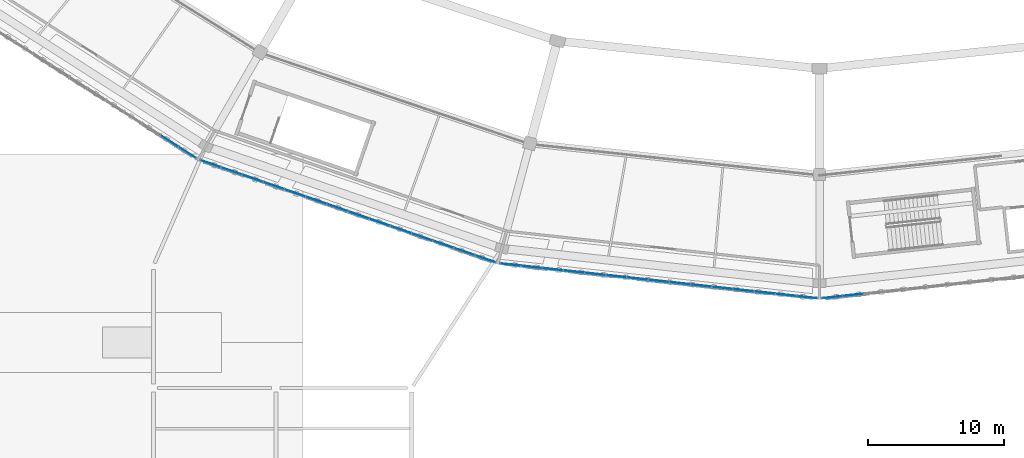
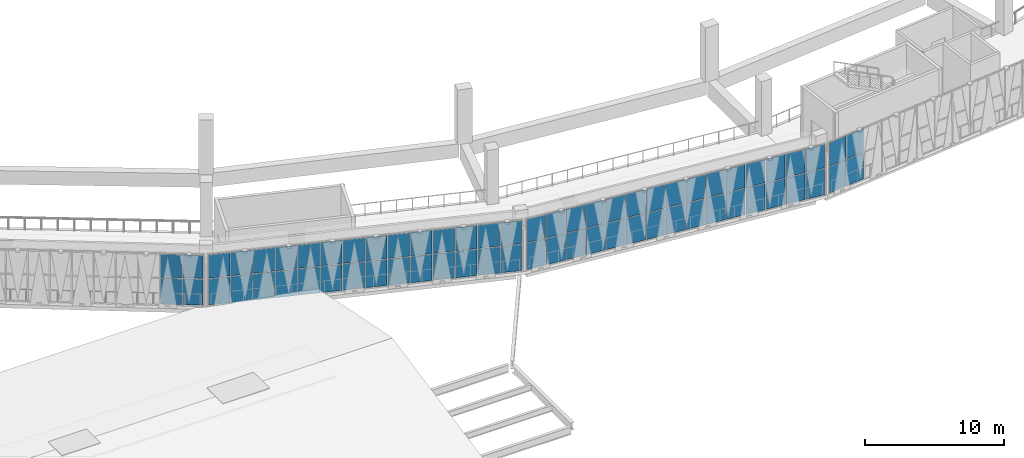
# One storey, part 51 of 108: 66 plates, 4 elements without a shape of their own.
"""IFC4 building model written with IfcOpenShell, lengths in metres."""

from ifc_helpers import new_model, si_unit, direction, frame, origin, origin_2d, place, context, subcontext, project, spatial, rectangle, extrude, material, layer, layer_set, type_object, element, aggregate, save


model = new_model("IFC4")

# Units and contexts
model_context = context("Model", 3, precision=1e-05, world=origin(), true_north=direction((0.0, 1.0)))
body_context = subcontext(model_context, "Body", "Model", "MODEL_VIEW")
ifc_project = project(units=[si_unit("LENGTHUNIT", "METRE"), si_unit("AREAUNIT", "SQUARE_METRE"), si_unit("VOLUMEUNIT", "CUBIC_METRE"), si_unit("PLANEANGLEUNIT", "RADIAN"), si_unit("MASSUNIT", "GRAM", prefix="KILO")], contexts=[model_context])

# Site, building, storey
site_placement = place(None, origin())
site = spatial("IfcSite", under=ifc_project, at=site_placement, CompositionType="ELEMENT")
building_placement = place(site_placement, origin())
building = spatial("IfcBuilding", under=site, at=building_placement, Name="Zevraka Park Crest Stadium", CompositionType="ELEMENT")
storey_placement = place(building_placement, frame((0.0, 0.0, 19.800048828125)))
storey = spatial("IfcBuildingStorey", under=building, at=storey_placement, Name="L04", CompositionType="ELEMENT", Elevation=19.800048828125)

# Curtain wall, plates
ifc_material_1 = material(Name="Anodised architectural aluminium and laminated safety glass", Category="aluminium")
curtain_wall_type_1 = type_object("IfcCurtainWallType", Name="CW16", PredefinedType="NOTDEFINED", material=ifc_material_1)
curtain_wall_1_placement = place(storey_placement, origin())
curtain_wall_1 = element("IfcCurtainWall", 1, at=curtain_wall_1_placement, inside=storey, type_object=curtain_wall_type_1, Name="Unitised Ring Curtain Wall CW16 L04-17", PredefinedType="NOTDEFINED")
ifc_material_2 = material(Name="Solar-control laminated double glazing", Category="glass")
ifc_layer_1 = layer(ifc_material_2, 0.031982421875)
ifc_layer_set_1 = layer_set([ifc_layer_1], Name="Solar-control laminated double glazing")
plate_type_1 = type_object("IfcPlateType", Name="CP16", PredefinedType="CURTAIN_PANEL", material=ifc_layer_set_1)
plate_1_placement = place(storey_placement, frame((89.260986328125, 18.08349609375, 0.059814453125), z_axis=(0.0, 0.0, 1.0), x_axis=(0.993997152844, -0.109405941967, 0.0)))
plate_1 = element("IfcPlate", 2, at=plate_1_placement, type_object=plate_type_1, Name="CW16 panel 1.1", PredefinedType="CURTAIN_PANEL", context=body_context, shape_type="SweptSolid", body=[
    extrude(rectangle(XDim=1.479736328125, YDim=0.031982421875, at=origin_2d()), origin(), (0.0, 0.0, 1.0), 2.31005859375),
])
plate_2_placement = place(storey_placement, frame((89.260986328125, 18.08349609375, 2.4296875), z_axis=(0.0, 0.0, 1.0), x_axis=(0.993997152844, -0.109405941967, 0.0)))
plate_2 = element("IfcPlate", 3, at=plate_2_placement, type_object=plate_type_1, Name="CW16 panel 1.2", PredefinedType="CURTAIN_PANEL", context=body_context, shape_type="SweptSolid", body=[
    extrude(rectangle(XDim=1.479736328125, YDim=0.031982421875, at=origin_2d()), origin(), (0.0, 0.0, 1.0), 2.050048828125),
])
plate_3_placement = place(storey_placement, frame((90.806396484375, 17.913330078125, 0.059814453125), z_axis=(0.0, 0.0, 1.0), x_axis=(0.993997152844, -0.109405941967, 0.0)))
plate_3 = element("IfcPlate", 4, at=plate_3_placement, type_object=plate_type_1, Name="CW16 panel 2.1", PredefinedType="CURTAIN_PANEL", context=body_context, shape_type="SweptSolid", body=[
    extrude(rectangle(XDim=1.509765625, YDim=0.031982421875, at=origin_2d()), origin(), (0.0, 0.0, 1.0), 2.31005859375),
])
plate_4_placement = place(storey_placement, frame((90.806396484375, 17.913330078125, 2.4296875), z_axis=(0.0, 0.0, 1.0), x_axis=(0.993997152844, -0.109405941967, 0.0)))
plate_4 = element("IfcPlate", 5, at=plate_4_placement, type_object=plate_type_1, Name="CW16 panel 2.2", PredefinedType="CURTAIN_PANEL", context=body_context, shape_type="SweptSolid", body=[
    extrude(rectangle(XDim=1.509765625, YDim=0.031982421875, at=origin_2d()), origin(), (0.0, 0.0, 1.0), 2.050048828125),
])
plate_5_placement = place(storey_placement, frame((92.36669921875, 17.74169921875, 0.059814453125), z_axis=(0.0, 0.0, 1.0), x_axis=(0.993997152844, -0.109405941967, 0.0)))
plate_5 = element("IfcPlate", 6, at=plate_5_placement, type_object=plate_type_1, Name="CW16 panel 3.1", PredefinedType="CURTAIN_PANEL", context=body_context, shape_type="SweptSolid", body=[
    extrude(rectangle(XDim=1.509765625, YDim=0.031982421875, at=origin_2d()), origin(), (0.0, 0.0, 1.0), 2.31005859375),
])
plate_6_placement = place(storey_placement, frame((92.36669921875, 17.74169921875, 2.4296875), z_axis=(0.0, 0.0, 1.0), x_axis=(0.993997152844, -0.109405941967, 0.0)))
plate_6 = element("IfcPlate", 7, at=plate_6_placement, type_object=plate_type_1, Name="CW16 panel 3.2", PredefinedType="CURTAIN_PANEL", context=body_context, shape_type="SweptSolid", body=[
    extrude(rectangle(XDim=1.509765625, YDim=0.031982421875, at=origin_2d()), origin(), (0.0, 0.0, 1.0), 2.050048828125),
])
plate_7_placement = place(storey_placement, frame((93.927001953125, 17.56982421875, 0.059814453125), z_axis=(0.0, 0.0, 1.0), x_axis=(0.993997152844, -0.109405941967, 0.0)))
plate_7 = element("IfcPlate", 8, at=plate_7_placement, type_object=plate_type_1, Name="CW16 panel 4.1", PredefinedType="CURTAIN_PANEL", context=body_context, shape_type="SweptSolid", body=[
    extrude(rectangle(XDim=1.509765625, YDim=0.031982421875, at=origin_2d()), origin(), (0.0, 0.0, 1.0), 2.31005859375),
])
plate_8_placement = place(storey_placement, frame((93.927001953125, 17.56982421875, 2.4296875), z_axis=(0.0, 0.0, 1.0), x_axis=(0.993997152844, -0.109405941967, 0.0)))
plate_8 = element("IfcPlate", 9, at=plate_8_placement, type_object=plate_type_1, Name="CW16 panel 4.2", PredefinedType="CURTAIN_PANEL", context=body_context, shape_type="SweptSolid", body=[
    extrude(rectangle(XDim=1.509765625, YDim=0.031982421875, at=origin_2d()), origin(), (0.0, 0.0, 1.0), 2.050048828125),
])
plate_9_placement = place(storey_placement, frame((95.4873046875, 17.398193359375, 0.059814453125), z_axis=(0.0, 0.0, 1.0), x_axis=(0.993997152844, -0.109405941967, 0.0)))
plate_9 = element("IfcPlate", 10, at=plate_9_placement, type_object=plate_type_1, Name="CW16 panel 5.1", PredefinedType="CURTAIN_PANEL", context=body_context, shape_type="SweptSolid", body=[
    extrude(rectangle(XDim=1.509765625, YDim=0.031982421875, at=origin_2d()), origin(), (0.0, 0.0, 1.0), 2.31005859375),
])
plate_10_placement = place(storey_placement, frame((95.4873046875, 17.398193359375, 2.4296875), z_axis=(0.0, 0.0, 1.0), x_axis=(0.993997152844, -0.109405941967, 0.0)))
plate_10 = element("IfcPlate", 11, at=plate_10_placement, type_object=plate_type_1, Name="CW16 panel 5.2", PredefinedType="CURTAIN_PANEL", context=body_context, shape_type="SweptSolid", body=[
    extrude(rectangle(XDim=1.509765625, YDim=0.031982421875, at=origin_2d()), origin(), (0.0, 0.0, 1.0), 2.050048828125),
])
plate_11_placement = place(storey_placement, frame((97.04736328125, 17.2265625, 0.059814453125), z_axis=(0.0, 0.0, 1.0), x_axis=(0.993997152844, -0.109405941967, 0.0)))
plate_11 = element("IfcPlate", 12, at=plate_11_placement, type_object=plate_type_1, Name="CW16 panel 6.1", PredefinedType="CURTAIN_PANEL", context=body_context, shape_type="SweptSolid", body=[
    extrude(rectangle(XDim=1.509765625, YDim=0.031982421875, at=origin_2d()), origin(), (0.0, 0.0, 1.0), 2.31005859375),
])
plate_12_placement = place(storey_placement, frame((97.04736328125, 17.2265625, 2.4296875), z_axis=(0.0, 0.0, 1.0), x_axis=(0.993997152844, -0.109405941967, 0.0)))
plate_12 = element("IfcPlate", 13, at=plate_12_placement, type_object=plate_type_1, Name="CW16 panel 6.2", PredefinedType="CURTAIN_PANEL", context=body_context, shape_type="SweptSolid", body=[
    extrude(rectangle(XDim=1.509765625, YDim=0.031982421875, at=origin_2d()), origin(), (0.0, 0.0, 1.0), 2.050048828125),
])
plate_13_placement = place(storey_placement, frame((98.607666015625, 17.0546875, 0.059814453125), z_axis=(0.0, 0.0, 1.0), x_axis=(0.993997152844, -0.109405941967, 0.0)))
plate_13 = element("IfcPlate", 14, at=plate_13_placement, type_object=plate_type_1, Name="CW16 panel 7.1", PredefinedType="CURTAIN_PANEL", context=body_context, shape_type="SweptSolid", body=[
    extrude(rectangle(XDim=1.509765625, YDim=0.031982421875, at=origin_2d()), origin(), (0.0, 0.0, 1.0), 2.31005859375),
])
plate_14_placement = place(storey_placement, frame((98.607666015625, 17.0546875, 2.4296875), z_axis=(0.0, 0.0, 1.0), x_axis=(0.993997152844, -0.109405941967, 0.0)))
plate_14 = element("IfcPlate", 15, at=plate_14_placement, type_object=plate_type_1, Name="CW16 panel 7.2", PredefinedType="CURTAIN_PANEL", context=body_context, shape_type="SweptSolid", body=[
    extrude(rectangle(XDim=1.509765625, YDim=0.031982421875, at=origin_2d()), origin(), (0.0, 0.0, 1.0), 2.050048828125),
])
plate_15_placement = place(storey_placement, frame((100.16796875, 16.883056640625, 0.059814453125), z_axis=(0.0, 0.0, 1.0), x_axis=(0.993997152844, -0.109405941967, 0.0)))
plate_15 = element("IfcPlate", 16, at=plate_15_placement, type_object=plate_type_1, Name="CW16 panel 8.1", PredefinedType="CURTAIN_PANEL", context=body_context, shape_type="SweptSolid", body=[
    extrude(rectangle(XDim=1.509765625, YDim=0.031982421875, at=origin_2d()), origin(), (0.0, 0.0, 1.0), 2.31005859375),
])
plate_16_placement = place(storey_placement, frame((100.16796875, 16.883056640625, 2.4296875), z_axis=(0.0, 0.0, 1.0), x_axis=(0.993997152844, -0.109405941967, 0.0)))
plate_16 = element("IfcPlate", 17, at=plate_16_placement, type_object=plate_type_1, Name="CW16 panel 8.2", PredefinedType="CURTAIN_PANEL", context=body_context, shape_type="SweptSolid", body=[
    extrude(rectangle(XDim=1.509765625, YDim=0.031982421875, at=origin_2d()), origin(), (0.0, 0.0, 1.0), 2.050048828125),
])
plate_17_placement = place(storey_placement, frame((101.728271484375, 16.711181640625, 0.059814453125), z_axis=(0.0, 0.0, 1.0), x_axis=(0.993997152844, -0.109405941967, 0.0)))
plate_17 = element("IfcPlate", 18, at=plate_17_placement, type_object=plate_type_1, Name="CW16 panel 9.1", PredefinedType="CURTAIN_PANEL", context=body_context, shape_type="SweptSolid", body=[
    extrude(rectangle(XDim=1.509765625, YDim=0.031982421875, at=origin_2d()), origin(), (0.0, 0.0, 1.0), 2.31005859375),
])
plate_18_placement = place(storey_placement, frame((101.728271484375, 16.711181640625, 2.4296875), z_axis=(0.0, 0.0, 1.0), x_axis=(0.993997152844, -0.109405941967, 0.0)))
plate_18 = element("IfcPlate", 19, at=plate_18_placement, type_object=plate_type_1, Name="CW16 panel 9.2", PredefinedType="CURTAIN_PANEL", context=body_context, shape_type="SweptSolid", body=[
    extrude(rectangle(XDim=1.509765625, YDim=0.031982421875, at=origin_2d()), origin(), (0.0, 0.0, 1.0), 2.050048828125),
])
plate_19_placement = place(storey_placement, frame((103.28857421875, 16.53955078125, 0.059814453125), z_axis=(0.0, 0.0, 1.0), x_axis=(0.993997152844, -0.109405941967, 0.0)))
plate_19 = element("IfcPlate", 20, at=plate_19_placement, type_object=plate_type_1, Name="CW16 panel 10.1", PredefinedType="CURTAIN_PANEL", context=body_context, shape_type="SweptSolid", body=[
    extrude(rectangle(XDim=1.509765625, YDim=0.031982421875, at=origin_2d()), origin(), (0.0, 0.0, 1.0), 2.31005859375),
])
plate_20_placement = place(storey_placement, frame((103.28857421875, 16.53955078125, 2.4296875), z_axis=(0.0, 0.0, 1.0), x_axis=(0.993997152844, -0.109405941967, 0.0)))
plate_20 = element("IfcPlate", 21, at=plate_20_placement, type_object=plate_type_1, Name="CW16 panel 10.2", PredefinedType="CURTAIN_PANEL", context=body_context, shape_type="SweptSolid", body=[
    extrude(rectangle(XDim=1.509765625, YDim=0.031982421875, at=origin_2d()), origin(), (0.0, 0.0, 1.0), 2.050048828125),
])
plate_21_placement = place(storey_placement, frame((104.848876953125, 16.367919921875, 0.059814453125), z_axis=(0.0, 0.0, 1.0), x_axis=(0.993997152844, -0.109405941967, 0.0)))
plate_21 = element("IfcPlate", 22, at=plate_21_placement, type_object=plate_type_1, Name="CW16 panel 11.1", PredefinedType="CURTAIN_PANEL", context=body_context, shape_type="SweptSolid", body=[
    extrude(rectangle(XDim=1.509765625, YDim=0.031982421875, at=origin_2d()), origin(), (0.0, 0.0, 1.0), 2.31005859375),
])
plate_22_placement = place(storey_placement, frame((104.848876953125, 16.367919921875, 2.4296875), z_axis=(0.0, 0.0, 1.0), x_axis=(0.993997152844, -0.109405941967, 0.0)))
plate_22 = element("IfcPlate", 23, at=plate_22_placement, type_object=plate_type_1, Name="CW16 panel 11.2", PredefinedType="CURTAIN_PANEL", context=body_context, shape_type="SweptSolid", body=[
    extrude(rectangle(XDim=1.509765625, YDim=0.031982421875, at=origin_2d()), origin(), (0.0, 0.0, 1.0), 2.050048828125),
])
plate_23_placement = place(storey_placement, frame((106.4091796875, 16.196044921875, 0.059814453125), z_axis=(0.0, 0.0, 1.0), x_axis=(0.993997152844, -0.109405941967, 0.0)))
plate_23 = element("IfcPlate", 24, at=plate_23_placement, type_object=plate_type_1, Name="CW16 panel 12.1", PredefinedType="CURTAIN_PANEL", context=body_context, shape_type="SweptSolid", body=[
    extrude(rectangle(XDim=1.509765625, YDim=0.031982421875, at=origin_2d()), origin(), (0.0, 0.0, 1.0), 2.31005859375),
])
plate_24_placement = place(storey_placement, frame((106.4091796875, 16.196044921875, 2.4296875), z_axis=(0.0, 0.0, 1.0), x_axis=(0.993997152844, -0.109405941967, 0.0)))
plate_24 = element("IfcPlate", 25, at=plate_24_placement, type_object=plate_type_1, Name="CW16 panel 12.2", PredefinedType="CURTAIN_PANEL", context=body_context, shape_type="SweptSolid", body=[
    extrude(rectangle(XDim=1.509765625, YDim=0.031982421875, at=origin_2d()), origin(), (0.0, 0.0, 1.0), 2.050048828125),
])
plate_25_placement = place(storey_placement, frame((107.96923828125, 16.0244140625, 0.059814453125), z_axis=(0.0, 0.0, 1.0), x_axis=(0.993997152844, -0.109405941967, 0.0)))
plate_25 = element("IfcPlate", 26, at=plate_25_placement, type_object=plate_type_1, Name="CW16 panel 13.1", PredefinedType="CURTAIN_PANEL", context=body_context, shape_type="SweptSolid", body=[
    extrude(rectangle(XDim=1.509765625, YDim=0.031982421875, at=origin_2d()), origin(), (0.0, 0.0, 1.0), 2.31005859375),
])
plate_26_placement = place(storey_placement, frame((107.96923828125, 16.0244140625, 2.4296875), z_axis=(0.0, 0.0, 1.0), x_axis=(0.993997152844, -0.109405941967, 0.0)))
plate_26 = element("IfcPlate", 27, at=plate_26_placement, type_object=plate_type_1, Name="CW16 panel 13.2", PredefinedType="CURTAIN_PANEL", context=body_context, shape_type="SweptSolid", body=[
    extrude(rectangle(XDim=1.509765625, YDim=0.031982421875, at=origin_2d()), origin(), (0.0, 0.0, 1.0), 2.050048828125),
])
plate_27_placement = place(storey_placement, frame((109.529541015625, 15.8525390625, 0.059814453125), z_axis=(0.0, 0.0, 1.0), x_axis=(0.993997152844, -0.109405941967, 0.0)))
plate_27 = element("IfcPlate", 28, at=plate_27_placement, type_object=plate_type_1, Name="CW16 panel 14.1", PredefinedType="CURTAIN_PANEL", context=body_context, shape_type="SweptSolid", body=[
    extrude(rectangle(XDim=1.509765625, YDim=0.031982421875, at=origin_2d()), origin(), (0.0, 0.0, 1.0), 2.31005859375),
])
plate_28_placement = place(storey_placement, frame((109.529541015625, 15.8525390625, 2.4296875), z_axis=(0.0, 0.0, 1.0), x_axis=(0.993997152844, -0.109405941967, 0.0)))
plate_28 = element("IfcPlate", 29, at=plate_28_placement, type_object=plate_type_1, Name="CW16 panel 14.2", PredefinedType="CURTAIN_PANEL", context=body_context, shape_type="SweptSolid", body=[
    extrude(rectangle(XDim=1.509765625, YDim=0.031982421875, at=origin_2d()), origin(), (0.0, 0.0, 1.0), 2.050048828125),
])
plate_29_placement = place(storey_placement, frame((111.074951171875, 15.6826171875, 0.059814453125), z_axis=(0.0, 0.0, 1.0), x_axis=(0.993997152844, -0.109405941967, 0.0)))
plate_29 = element("IfcPlate", 30, at=plate_29_placement, type_object=plate_type_1, Name="CW16 panel 15.1", PredefinedType="CURTAIN_PANEL", context=body_context, shape_type="SweptSolid", body=[
    extrude(rectangle(XDim=1.479736328125, YDim=0.031982421875, at=origin_2d()), origin(), (0.0, 0.0, 1.0), 2.31005859375),
])
plate_30_placement = place(storey_placement, frame((111.074951171875, 15.6826171875, 2.4296875), z_axis=(0.0, 0.0, 1.0), x_axis=(0.993997152844, -0.109405941967, 0.0)))
plate_30 = element("IfcPlate", 31, at=plate_30_placement, type_object=plate_type_1, Name="CW16 panel 15.2", PredefinedType="CURTAIN_PANEL", context=body_context, shape_type="SweptSolid", body=[
    extrude(rectangle(XDim=1.479736328125, YDim=0.031982421875, at=origin_2d()), origin(), (0.0, 0.0, 1.0), 2.050048828125),
])
aggregate(curtain_wall_1, [plate_1, plate_2, plate_3, plate_4, plate_5, plate_6, plate_7, plate_8, plate_9, plate_10, plate_11, plate_12, plate_13, plate_14, plate_15, plate_16, plate_17, plate_18, plate_19, plate_20, plate_21, plate_22, plate_23, plate_24, plate_25, plate_26, plate_27, plate_28, plate_29, plate_30])

curtain_wall_2_placement = place(storey_placement, origin())
curtain_wall_2 = element("IfcCurtainWall", 32, at=curtain_wall_2_placement, inside=storey, type_object=curtain_wall_type_1, Name="Unitised Ring Curtain Wall CW16 L04-18", PredefinedType="NOTDEFINED")
plate_31_placement = place(storey_placement, frame((112.925048828125, 15.6826171875, 0.059814453125), z_axis=(0.0, 0.0, 1.0), x_axis=(0.993997152844, 0.109405941967, 0.0)))
plate_31 = element("IfcPlate", 33, at=plate_31_placement, type_object=plate_type_1, Name="CW16 panel 1.1", PredefinedType="CURTAIN_PANEL", context=body_context, shape_type="SweptSolid", body=[
    extrude(rectangle(XDim=1.479736328125, YDim=0.031982421875, at=origin_2d()), origin(), (0.0, 0.0, 1.0), 2.31005859375),
])
plate_32_placement = place(storey_placement, frame((112.925048828125, 15.6826171875, 2.4296875), z_axis=(0.0, 0.0, 1.0), x_axis=(0.993997152844, 0.109405941967, 0.0)))
plate_32 = element("IfcPlate", 34, at=plate_32_placement, type_object=plate_type_1, Name="CW16 panel 1.2", PredefinedType="CURTAIN_PANEL", context=body_context, shape_type="SweptSolid", body=[
    extrude(rectangle(XDim=1.479736328125, YDim=0.031982421875, at=origin_2d()), origin(), (0.0, 0.0, 1.0), 2.050048828125),
])
plate_33_placement = place(storey_placement, frame((114.470458984375, 15.8525390625, 0.059814453125), z_axis=(0.0, 0.0, 1.0), x_axis=(0.993997152844, 0.109405941967, 0.0)))
plate_33 = element("IfcPlate", 35, at=plate_33_placement, type_object=plate_type_1, Name="CW16 panel 2.1", PredefinedType="CURTAIN_PANEL", context=body_context, shape_type="SweptSolid", body=[
    extrude(rectangle(XDim=1.509765625, YDim=0.031982421875, at=origin_2d()), origin(), (0.0, 0.0, 1.0), 2.31005859375),
])
plate_34_placement = place(storey_placement, frame((114.470458984375, 15.8525390625, 2.4296875), z_axis=(0.0, 0.0, 1.0), x_axis=(0.993997152844, 0.109405941967, 0.0)))
plate_34 = element("IfcPlate", 36, at=plate_34_placement, type_object=plate_type_1, Name="CW16 panel 2.2", PredefinedType="CURTAIN_PANEL", context=body_context, shape_type="SweptSolid", body=[
    extrude(rectangle(XDim=1.509765625, YDim=0.031982421875, at=origin_2d()), origin(), (0.0, 0.0, 1.0), 2.050048828125),
])
aggregate(curtain_wall_2, [plate_31, plate_32, plate_33, plate_34])

ifc_material_3 = material(Name="Anodised architectural aluminium and laminated safety glass", Category="aluminium")
curtain_wall_type_2 = type_object("IfcCurtainWallType", Name="CW17", PredefinedType="NOTDEFINED", material=ifc_material_3)
curtain_wall_3_placement = place(storey_placement, origin())
curtain_wall_3 = element("IfcCurtainWall", 37, at=curtain_wall_3_placement, inside=storey, type_object=curtain_wall_type_2, Name="Unitised Ring Curtain Wall CW17 L04-16", PredefinedType="NOTDEFINED")
ifc_material_4 = material(Name="Solar-control laminated double glazing", Category="glass")
ifc_layer_2 = layer(ifc_material_4, 0.031982421875)
ifc_layer_set_2 = layer_set([ifc_layer_2], Name="Solar-control laminated double glazing")
plate_type_2 = type_object("IfcPlateType", Name="CP17", PredefinedType="CURTAIN_PANEL", material=ifc_layer_set_2)
plate_35_placement = place(storey_placement, frame((67.2021484375, 25.50390625, 0.06494140625), z_axis=(0.0, 0.0, 1.0), x_axis=(0.944939691816, -0.327244524523, 0.0)))
plate_35 = element("IfcPlate", 38, at=plate_35_placement, type_object=plate_type_2, Name="CW17 panel 1.1", PredefinedType="CURTAIN_PANEL", context=body_context, shape_type="SweptSolid", body=[
    extrude(rectangle(XDim=1.55078125, YDim=0.031982421875, at=origin_2d()), origin(), (0.0, 0.0, 1.0), 2.302490234375),
])
plate_36_placement = place(storey_placement, frame((67.2021484375, 25.50390625, 2.432373046875), z_axis=(0.0, 0.0, 1.0), x_axis=(0.944939691816, -0.327244524523, 0.0)))
plate_36 = element("IfcPlate", 39, at=plate_36_placement, type_object=plate_type_2, Name="CW17 panel 1.2", PredefinedType="CURTAIN_PANEL", context=body_context, shape_type="SweptSolid", body=[
    extrude(rectangle(XDim=1.55078125, YDim=0.031982421875, at=origin_2d()), origin(), (0.0, 0.0, 1.0), 2.04248046875),
])
plate_37_placement = place(storey_placement, frame((68.744140625, 24.969970703125, 0.06494140625), z_axis=(0.0, 0.0, 1.0), x_axis=(0.944939691816, -0.327244524523, 0.0)))
plate_37 = element("IfcPlate", 40, at=plate_37_placement, type_object=plate_type_2, Name="CW17 panel 2.1", PredefinedType="CURTAIN_PANEL", context=body_context, shape_type="SweptSolid", body=[
    extrude(rectangle(XDim=1.583251953125, YDim=0.031982421875, at=origin_2d()), origin(), (0.0, 0.0, 1.0), 2.302490234375),
])
plate_38_placement = place(storey_placement, frame((68.744140625, 24.969970703125, 2.432373046875), z_axis=(0.0, 0.0, 1.0), x_axis=(0.944939691816, -0.327244524523, 0.0)))
plate_38 = element("IfcPlate", 41, at=plate_38_placement, type_object=plate_type_2, Name="CW17 panel 2.2", PredefinedType="CURTAIN_PANEL", context=body_context, shape_type="SweptSolid", body=[
    extrude(rectangle(XDim=1.583251953125, YDim=0.031982421875, at=origin_2d()), origin(), (0.0, 0.0, 1.0), 2.04248046875),
])
plate_39_placement = place(storey_placement, frame((70.301513671875, 24.4306640625, 0.06494140625), z_axis=(0.0, 0.0, 1.0), x_axis=(0.944939691816, -0.327244524523, 0.0)))
plate_39 = element("IfcPlate", 42, at=plate_39_placement, type_object=plate_type_2, Name="CW17 panel 3.1", PredefinedType="CURTAIN_PANEL", context=body_context, shape_type="SweptSolid", body=[
    extrude(rectangle(XDim=1.583251953125, YDim=0.031982421875, at=origin_2d()), origin(), (0.0, 0.0, 1.0), 2.302490234375),
])
plate_40_placement = place(storey_placement, frame((70.301513671875, 24.4306640625, 2.432373046875), z_axis=(0.0, 0.0, 1.0), x_axis=(0.944939691816, -0.327244524523, 0.0)))
plate_40 = element("IfcPlate", 43, at=plate_40_placement, type_object=plate_type_2, Name="CW17 panel 3.2", PredefinedType="CURTAIN_PANEL", context=body_context, shape_type="SweptSolid", body=[
    extrude(rectangle(XDim=1.583251953125, YDim=0.031982421875, at=origin_2d()), origin(), (0.0, 0.0, 1.0), 2.04248046875),
])
plate_41_placement = place(storey_placement, frame((71.85888671875, 23.891357421875, 0.06494140625), z_axis=(0.0, 0.0, 1.0), x_axis=(0.944939691816, -0.327244524523, 0.0)))
plate_41 = element("IfcPlate", 44, at=plate_41_placement, type_object=plate_type_2, Name="CW17 panel 4.1", PredefinedType="CURTAIN_PANEL", context=body_context, shape_type="SweptSolid", body=[
    extrude(rectangle(XDim=1.583251953125, YDim=0.031982421875, at=origin_2d()), origin(), (0.0, 0.0, 1.0), 2.302490234375),
])
plate_42_placement = place(storey_placement, frame((71.85888671875, 23.891357421875, 2.432373046875), z_axis=(0.0, 0.0, 1.0), x_axis=(0.944939691816, -0.327244524523, 0.0)))
plate_42 = element("IfcPlate", 45, at=plate_42_placement, type_object=plate_type_2, Name="CW17 panel 4.2", PredefinedType="CURTAIN_PANEL", context=body_context, shape_type="SweptSolid", body=[
    extrude(rectangle(XDim=1.583251953125, YDim=0.031982421875, at=origin_2d()), origin(), (0.0, 0.0, 1.0), 2.04248046875),
])
plate_43_placement = place(storey_placement, frame((73.41650390625, 23.351806640625, 0.06494140625), z_axis=(0.0, 0.0, 1.0), x_axis=(0.944939691816, -0.327244524523, 0.0)))
plate_43 = element("IfcPlate", 46, at=plate_43_placement, type_object=plate_type_2, Name="CW17 panel 5.1", PredefinedType="CURTAIN_PANEL", context=body_context, shape_type="SweptSolid", body=[
    extrude(rectangle(XDim=1.583251953125, YDim=0.031982421875, at=origin_2d()), origin(), (0.0, 0.0, 1.0), 2.302490234375),
])
plate_44_placement = place(storey_placement, frame((73.41650390625, 23.351806640625, 2.432373046875), z_axis=(0.0, 0.0, 1.0), x_axis=(0.944939691816, -0.327244524523, 0.0)))
plate_44 = element("IfcPlate", 47, at=plate_44_placement, type_object=plate_type_2, Name="CW17 panel 5.2", PredefinedType="CURTAIN_PANEL", context=body_context, shape_type="SweptSolid", body=[
    extrude(rectangle(XDim=1.583251953125, YDim=0.031982421875, at=origin_2d()), origin(), (0.0, 0.0, 1.0), 2.04248046875),
])
plate_45_placement = place(storey_placement, frame((74.973876953125, 22.8125, 0.06494140625), z_axis=(0.0, 0.0, 1.0), x_axis=(0.944939691816, -0.327244524523, 0.0)))
plate_45 = element("IfcPlate", 48, at=plate_45_placement, type_object=plate_type_2, Name="CW17 panel 6.1", PredefinedType="CURTAIN_PANEL", context=body_context, shape_type="SweptSolid", body=[
    extrude(rectangle(XDim=1.583251953125, YDim=0.031982421875, at=origin_2d()), origin(), (0.0, 0.0, 1.0), 2.302490234375),
])
plate_46_placement = place(storey_placement, frame((74.973876953125, 22.8125, 2.432373046875), z_axis=(0.0, 0.0, 1.0), x_axis=(0.944939691816, -0.327244524523, 0.0)))
plate_46 = element("IfcPlate", 49, at=plate_46_placement, type_object=plate_type_2, Name="CW17 panel 6.2", PredefinedType="CURTAIN_PANEL", context=body_context, shape_type="SweptSolid", body=[
    extrude(rectangle(XDim=1.583251953125, YDim=0.031982421875, at=origin_2d()), origin(), (0.0, 0.0, 1.0), 2.04248046875),
])
plate_47_placement = place(storey_placement, frame((76.53125, 22.273193359375, 0.06494140625), z_axis=(0.0, 0.0, 1.0), x_axis=(0.944939691816, -0.327244524523, 0.0)))
plate_47 = element("IfcPlate", 50, at=plate_47_placement, type_object=plate_type_2, Name="CW17 panel 7.1", PredefinedType="CURTAIN_PANEL", context=body_context, shape_type="SweptSolid", body=[
    extrude(rectangle(XDim=1.583251953125, YDim=0.031982421875, at=origin_2d()), origin(), (0.0, 0.0, 1.0), 2.302490234375),
])
plate_48_placement = place(storey_placement, frame((76.53125, 22.273193359375, 2.432373046875), z_axis=(0.0, 0.0, 1.0), x_axis=(0.944939691816, -0.327244524523, 0.0)))
plate_48 = element("IfcPlate", 51, at=plate_48_placement, type_object=plate_type_2, Name="CW17 panel 7.2", PredefinedType="CURTAIN_PANEL", context=body_context, shape_type="SweptSolid", body=[
    extrude(rectangle(XDim=1.583251953125, YDim=0.031982421875, at=origin_2d()), origin(), (0.0, 0.0, 1.0), 2.04248046875),
])
plate_49_placement = place(storey_placement, frame((78.088623046875, 21.73388671875, 0.06494140625), z_axis=(0.0, 0.0, 1.0), x_axis=(0.944939691816, -0.327244524523, 0.0)))
plate_49 = element("IfcPlate", 52, at=plate_49_placement, type_object=plate_type_2, Name="CW17 panel 8.1", PredefinedType="CURTAIN_PANEL", context=body_context, shape_type="SweptSolid", body=[
    extrude(rectangle(XDim=1.583251953125, YDim=0.031982421875, at=origin_2d()), origin(), (0.0, 0.0, 1.0), 2.302490234375),
])
plate_50_placement = place(storey_placement, frame((78.088623046875, 21.73388671875, 2.432373046875), z_axis=(0.0, 0.0, 1.0), x_axis=(0.944939691816, -0.327244524523, 0.0)))
plate_50 = element("IfcPlate", 53, at=plate_50_placement, type_object=plate_type_2, Name="CW17 panel 8.2", PredefinedType="CURTAIN_PANEL", context=body_context, shape_type="SweptSolid", body=[
    extrude(rectangle(XDim=1.583251953125, YDim=0.031982421875, at=origin_2d()), origin(), (0.0, 0.0, 1.0), 2.04248046875),
])
plate_51_placement = place(storey_placement, frame((79.646240234375, 21.194580078125, 0.06494140625), z_axis=(0.0, 0.0, 1.0), x_axis=(0.944939691816, -0.327244524523, 0.0)))
plate_51 = element("IfcPlate", 54, at=plate_51_placement, type_object=plate_type_2, Name="CW17 panel 9.1", PredefinedType="CURTAIN_PANEL", context=body_context, shape_type="SweptSolid", body=[
    extrude(rectangle(XDim=1.583251953125, YDim=0.031982421875, at=origin_2d()), origin(), (0.0, 0.0, 1.0), 2.302490234375),
])
plate_52_placement = place(storey_placement, frame((79.646240234375, 21.194580078125, 2.432373046875), z_axis=(0.0, 0.0, 1.0), x_axis=(0.944939691816, -0.327244524523, 0.0)))
plate_52 = element("IfcPlate", 55, at=plate_52_placement, type_object=plate_type_2, Name="CW17 panel 9.2", PredefinedType="CURTAIN_PANEL", context=body_context, shape_type="SweptSolid", body=[
    extrude(rectangle(XDim=1.583251953125, YDim=0.031982421875, at=origin_2d()), origin(), (0.0, 0.0, 1.0), 2.04248046875),
])
plate_53_placement = place(storey_placement, frame((81.20361328125, 20.655029296875, 0.06494140625), z_axis=(0.0, 0.0, 1.0), x_axis=(0.944939691816, -0.327244524523, 0.0)))
plate_53 = element("IfcPlate", 56, at=plate_53_placement, type_object=plate_type_2, Name="CW17 panel 10.1", PredefinedType="CURTAIN_PANEL", context=body_context, shape_type="SweptSolid", body=[
    extrude(rectangle(XDim=1.583251953125, YDim=0.031982421875, at=origin_2d()), origin(), (0.0, 0.0, 1.0), 2.302490234375),
])
plate_54_placement = place(storey_placement, frame((81.20361328125, 20.655029296875, 2.432373046875), z_axis=(0.0, 0.0, 1.0), x_axis=(0.944939691816, -0.327244524523, 0.0)))
plate_54 = element("IfcPlate", 57, at=plate_54_placement, type_object=plate_type_2, Name="CW17 panel 10.2", PredefinedType="CURTAIN_PANEL", context=body_context, shape_type="SweptSolid", body=[
    extrude(rectangle(XDim=1.583251953125, YDim=0.031982421875, at=origin_2d()), origin(), (0.0, 0.0, 1.0), 2.04248046875),
])
plate_55_placement = place(storey_placement, frame((82.760986328125, 20.11572265625, 0.06494140625), z_axis=(0.0, 0.0, 1.0), x_axis=(0.944939691816, -0.327244524523, 0.0)))
plate_55 = element("IfcPlate", 58, at=plate_55_placement, type_object=plate_type_2, Name="CW17 panel 11.1", PredefinedType="CURTAIN_PANEL", context=body_context, shape_type="SweptSolid", body=[
    extrude(rectangle(XDim=1.583251953125, YDim=0.031982421875, at=origin_2d()), origin(), (0.0, 0.0, 1.0), 2.302490234375),
])
plate_56_placement = place(storey_placement, frame((82.760986328125, 20.11572265625, 2.432373046875), z_axis=(0.0, 0.0, 1.0), x_axis=(0.944939691816, -0.327244524523, 0.0)))
plate_56 = element("IfcPlate", 59, at=plate_56_placement, type_object=plate_type_2, Name="CW17 panel 11.2", PredefinedType="CURTAIN_PANEL", context=body_context, shape_type="SweptSolid", body=[
    extrude(rectangle(XDim=1.583251953125, YDim=0.031982421875, at=origin_2d()), origin(), (0.0, 0.0, 1.0), 2.04248046875),
])
plate_57_placement = place(storey_placement, frame((84.318359375, 19.576416015625, 0.06494140625), z_axis=(0.0, 0.0, 1.0), x_axis=(0.944939691816, -0.327244524523, 0.0)))
plate_57 = element("IfcPlate", 60, at=plate_57_placement, type_object=plate_type_2, Name="CW17 panel 12.1", PredefinedType="CURTAIN_PANEL", context=body_context, shape_type="SweptSolid", body=[
    extrude(rectangle(XDim=1.583251953125, YDim=0.031982421875, at=origin_2d()), origin(), (0.0, 0.0, 1.0), 2.302490234375),
])
plate_58_placement = place(storey_placement, frame((84.318359375, 19.576416015625, 2.432373046875), z_axis=(0.0, 0.0, 1.0), x_axis=(0.944939691816, -0.327244524523, 0.0)))
plate_58 = element("IfcPlate", 61, at=plate_58_placement, type_object=plate_type_2, Name="CW17 panel 12.2", PredefinedType="CURTAIN_PANEL", context=body_context, shape_type="SweptSolid", body=[
    extrude(rectangle(XDim=1.583251953125, YDim=0.031982421875, at=origin_2d()), origin(), (0.0, 0.0, 1.0), 2.04248046875),
])
plate_59_placement = place(storey_placement, frame((85.8759765625, 19.037109375, 0.06494140625), z_axis=(0.0, 0.0, 1.0), x_axis=(0.944939691816, -0.327244524523, 0.0)))
plate_59 = element("IfcPlate", 62, at=plate_59_placement, type_object=plate_type_2, Name="CW17 panel 13.1", PredefinedType="CURTAIN_PANEL", context=body_context, shape_type="SweptSolid", body=[
    extrude(rectangle(XDim=1.583251953125, YDim=0.031982421875, at=origin_2d()), origin(), (0.0, 0.0, 1.0), 2.302490234375),
])
plate_60_placement = place(storey_placement, frame((85.8759765625, 19.037109375, 2.432373046875), z_axis=(0.0, 0.0, 1.0), x_axis=(0.944939691816, -0.327244524523, 0.0)))
plate_60 = element("IfcPlate", 63, at=plate_60_placement, type_object=plate_type_2, Name="CW17 panel 13.2", PredefinedType="CURTAIN_PANEL", context=body_context, shape_type="SweptSolid", body=[
    extrude(rectangle(XDim=1.583251953125, YDim=0.031982421875, at=origin_2d()), origin(), (0.0, 0.0, 1.0), 2.04248046875),
])
plate_61_placement = place(storey_placement, frame((87.41796875, 18.5029296875, 0.06494140625), z_axis=(0.0, 0.0, 1.0), x_axis=(0.944939691816, -0.327244524523, 0.0)))
plate_61 = element("IfcPlate", 64, at=plate_61_placement, type_object=plate_type_2, Name="CW17 panel 14.1", PredefinedType="CURTAIN_PANEL", context=body_context, shape_type="SweptSolid", body=[
    extrude(rectangle(XDim=1.55078125, YDim=0.031982421875, at=origin_2d()), origin(), (0.0, 0.0, 1.0), 2.302490234375),
])
plate_62_placement = place(storey_placement, frame((87.41796875, 18.5029296875, 2.432373046875), z_axis=(0.0, 0.0, 1.0), x_axis=(0.944939691816, -0.327244524523, 0.0)))
plate_62 = element("IfcPlate", 65, at=plate_62_placement, type_object=plate_type_2, Name="CW17 panel 14.2", PredefinedType="CURTAIN_PANEL", context=body_context, shape_type="SweptSolid", body=[
    extrude(rectangle(XDim=1.55078125, YDim=0.031982421875, at=origin_2d()), origin(), (0.0, 0.0, 1.0), 2.04248046875),
])
aggregate(curtain_wall_3, [plate_35, plate_36, plate_37, plate_38, plate_39, plate_40, plate_41, plate_42, plate_43, plate_44, plate_45, plate_46, plate_47, plate_48, plate_49, plate_50, plate_51, plate_52, plate_53, plate_54, plate_55, plate_56, plate_57, plate_58, plate_59, plate_60, plate_61, plate_62])

ifc_material_5 = material(Name="Anodised architectural aluminium and laminated safety glass", Category="aluminium")
curtain_wall_type_3 = type_object("IfcCurtainWallType", Name="CW18", PredefinedType="NOTDEFINED", material=ifc_material_5)
curtain_wall_4_placement = place(storey_placement, origin())
curtain_wall_4 = element("IfcCurtainWall", 66, at=curtain_wall_4_placement, inside=storey, type_object=curtain_wall_type_3, Name="Unitised Ring Curtain Wall CW18 L04-15", PredefinedType="NOTDEFINED")
ifc_material_6 = material(Name="Solar-control laminated double glazing", Category="glass")
ifc_layer_3 = layer(ifc_material_6, 0.031982421875)
ifc_layer_set_3 = layer_set([ifc_layer_3], Name="Solar-control laminated double glazing")
plate_type_3 = type_object("IfcPlateType", Name="CP18", PredefinedType="CURTAIN_PANEL", material=ifc_layer_set_3)
plate_63_placement = place(storey_placement, frame((64.169921875, 27.178466796875, 0.070068359375), z_axis=(0.0, 0.0, 1.0), x_axis=(0.841677883781, -0.539979944029, 0.0)))
plate_63 = element("IfcPlate", 67, at=plate_63_placement, type_object=plate_type_3, Name="CW18 panel 13.1", PredefinedType="CURTAIN_PANEL", context=body_context, shape_type="SweptSolid", body=[
    extrude(rectangle(XDim=1.51806640625, YDim=0.031982421875, at=origin_2d()), origin(), (0.0, 0.0, 1.0), 2.294921875),
])
plate_64_placement = place(storey_placement, frame((64.169921875, 27.178466796875, 2.43505859375), z_axis=(0.0, 0.0, 1.0), x_axis=(0.841677883781, -0.539979944029, 0.0)))
plate_64 = element("IfcPlate", 68, at=plate_64_placement, type_object=plate_type_3, Name="CW18 panel 13.2", PredefinedType="CURTAIN_PANEL", context=body_context, shape_type="SweptSolid", body=[
    extrude(rectangle(XDim=1.51806640625, YDim=0.031982421875, at=origin_2d()), origin(), (0.0, 0.0, 1.0), 2.034912109375),
])
plate_65_placement = place(storey_placement, frame((65.491943359375, 26.330322265625, 0.070068359375), z_axis=(0.0, 0.0, 1.0), x_axis=(0.841677883781, -0.539979944029, 0.0)))
plate_65 = element("IfcPlate", 69, at=plate_65_placement, type_object=plate_type_3, Name="CW18 panel 14.1", PredefinedType="CURTAIN_PANEL", context=body_context, shape_type="SweptSolid", body=[
    extrude(rectangle(XDim=1.483154296875, YDim=0.031982421875, at=origin_2d()), origin(), (0.0, 0.0, 1.0), 2.294921875),
])
plate_66_placement = place(storey_placement, frame((65.491943359375, 26.330322265625, 2.43505859375), z_axis=(0.0, 0.0, 1.0), x_axis=(0.841677883781, -0.539979944029, 0.0)))
plate_66 = element("IfcPlate", 70, at=plate_66_placement, type_object=plate_type_3, Name="CW18 panel 14.2", PredefinedType="CURTAIN_PANEL", context=body_context, shape_type="SweptSolid", body=[
    extrude(rectangle(XDim=1.483154296875, YDim=0.031982421875, at=origin_2d()), origin(), (0.0, 0.0, 1.0), 2.034912109375),
])
aggregate(curtain_wall_4, [plate_63, plate_64, plate_65, plate_66])

save(model, "model.ifc")
